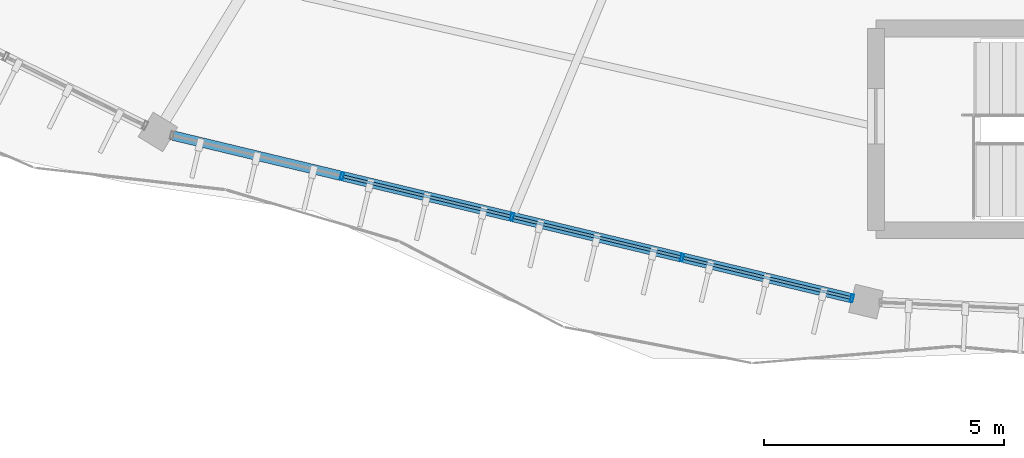
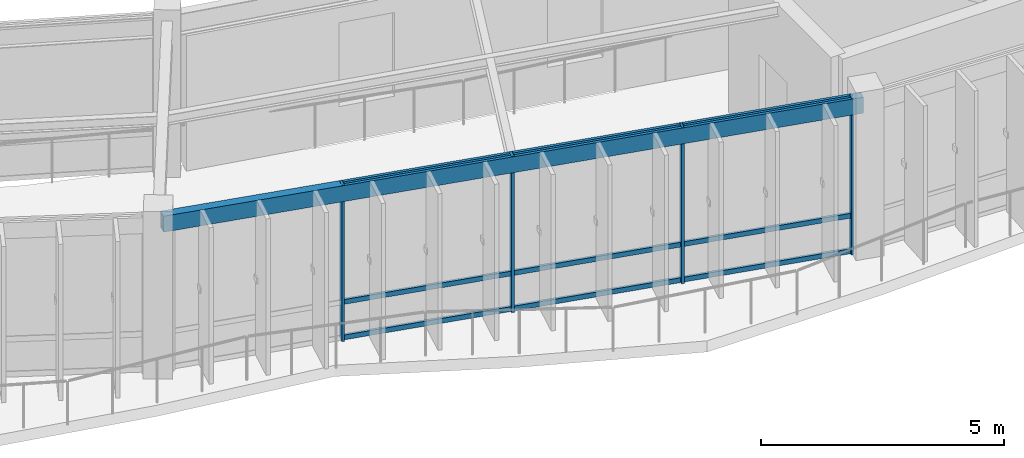
# One storey, part 7 of 83: 13 members, 1 beam, 1 element without a shape of its own.
"""IFC4 building model written with IfcOpenShell, lengths in metres."""

from ifc_helpers import new_model, si_unit, direction, frame, origin, origin_2d, place, context, subcontext, project, spatial, hollow_rectangle, extrude, material, material_profile, profile_set, type_object, element, aggregate, save


model = new_model("IFC4")

# Units and contexts
model_context = context("Model", 3, precision=1e-05, world=origin(), true_north=direction((0.0, 1.0)))
body_context = subcontext(model_context, "Body", "Model", "MODEL_VIEW")
ifc_project = project(units=[si_unit("LENGTHUNIT", "METRE"), si_unit("AREAUNIT", "SQUARE_METRE"), si_unit("VOLUMEUNIT", "CUBIC_METRE"), si_unit("PLANEANGLEUNIT", "RADIAN"), si_unit("MASSUNIT", "GRAM", prefix="KILO"), si_unit("THERMODYNAMICTEMPERATUREUNIT", "KELVIN"), si_unit("POWERUNIT", "WATT")], contexts=[model_context])

# Site, building, storey
site_placement = place(None, origin())
site = spatial("IfcSite", under=ifc_project, at=site_placement, CompositionType="ELEMENT")
building_placement = place(site_placement, origin())
building = spatial("IfcBuilding", under=site, at=building_placement, Name="Darbajah Civic Hall", CompositionType="ELEMENT")
storey_placement = place(building_placement, frame((0.0, 0.0, 18.0)))
storey = spatial("IfcBuildingStorey", under=building, at=storey_placement, Name="L04", CompositionType="ELEMENT", Elevation=18.0)

# Curtain wall, members
ifc_material_1 = material(Name="Anodised Bronze Aluminium and Low-E Glazing", Category="aluminium")
curtain_wall_type = type_object("IfcCurtainWallType", Name="Unitised Curtain Wall CW-71 14600x3900", PredefinedType="USERDEFINED", material=ifc_material_1)
curtain_wall_placement = place(storey_placement, origin())
curtain_wall = element("IfcCurtainWall", 1, at=curtain_wall_placement, inside=storey, type_object=curtain_wall_type, Name="L04 unitised curtain wall CW-V1O-L04-13", ObjectType="UNITISED CURTAIN WALL", PredefinedType="USERDEFINED")
ifc_material_2 = material(Name="Anodised Bronze Aluminium", Category="aluminium")
ifc_material_profile_1 = material_profile(ifc_material_2, hollow_rectangle(XDim=0.06005859375, YDim=0.159912109375, WallThickness=0.00341796875, at=origin_2d()), Name="ALU MULLION 60x160")
ifc_profile_set_1 = profile_set([ifc_material_profile_1], Name="Anodised Bronze Aluminium")
member_type_1 = type_object("IfcMemberType", Name="ALU MULLION 60x160", PredefinedType="MULLION", material=ifc_profile_set_1)
member_1_placement = place(storey_placement, frame((66.284912109375, 63.72900390625, 0.0), z_axis=(0.0, 0.0, 1.0), x_axis=(0.972492018808, -0.232936200179, 0.0)))
member_1 = element("IfcMember", 2, at=member_1_placement, type_object=member_type_1, Name="CW-V1O-L04-13 mullion 2", PredefinedType="MULLION", context=body_context, shape_type="SweptSolid", body=[
    extrude(hollow_rectangle(XDim=0.06005859375, YDim=0.159912109375, WallThickness=0.00341796875, at=origin_2d()), origin(), (0.0, 0.0, 1.0), 3.919921875),
])
member_2_placement = place(storey_placement, frame((69.823486328125, 62.881103515625, 0.0), z_axis=(0.0, 0.0, 1.0), x_axis=(0.972492018808, -0.232936200179, 0.0)))
member_2 = element("IfcMember", 3, at=member_2_placement, type_object=member_type_1, Name="CW-V1O-L04-13 mullion 3", PredefinedType="MULLION", context=body_context, shape_type="SweptSolid", body=[
    extrude(hollow_rectangle(XDim=0.06005859375, YDim=0.159912109375, WallThickness=0.00341796875, at=origin_2d()), origin(), (0.0, 0.0, 1.0), 3.919921875),
])
member_3_placement = place(storey_placement, frame((73.362060546875, 62.033203125, 0.0), z_axis=(0.0, 0.0, 1.0), x_axis=(0.972492018808, -0.232936200179, 0.0)))
member_3 = element("IfcMember", 4, at=member_3_placement, type_object=member_type_1, Name="CW-V1O-L04-13 mullion 4", PredefinedType="MULLION", context=body_context, shape_type="SweptSolid", body=[
    extrude(hollow_rectangle(XDim=0.06005859375, YDim=0.159912109375, WallThickness=0.00341796875, at=origin_2d()), origin(), (0.0, 0.0, 1.0), 3.919921875),
])
member_4_placement = place(storey_placement, frame((76.900634765625, 61.185546875, 0.0), z_axis=(0.0, 0.0, 1.0), x_axis=(0.972492018808, -0.232936200179, 0.0)))
member_4 = element("IfcMember", 5, at=member_4_placement, type_object=member_type_1, Name="CW-V1O-L04-13 mullion 5", PredefinedType="MULLION", context=body_context, shape_type="SweptSolid", body=[
    extrude(hollow_rectangle(XDim=0.06005859375, YDim=0.159912109375, WallThickness=0.00341796875, at=origin_2d()), origin(), (0.0, 0.0, 1.0), 3.919921875),
])
ifc_material_profile_2 = material_profile(ifc_material_2, hollow_rectangle(XDim=0.06005859375, YDim=0.1201171875, WallThickness=0.003173828125, at=origin_2d()), Name="ALU TRANSOM 60x120")
ifc_profile_set_2 = profile_set([ifc_material_profile_2], Name="Anodised Bronze Aluminium")
member_type_2 = type_object("IfcMemberType", Name="ALU TRANSOM 60x120", PredefinedType="USERDEFINED", material=ifc_profile_set_2)
member_5_placement = place(storey_placement, frame((66.31884765625, 63.720703125, 0.06005859375), z_axis=(0.972489672389, -0.232945996095, 0.0), x_axis=(0.232945996095, 0.972489672389, 0.0)))
member_5 = element("IfcMember", 6, at=member_5_placement, type_object=member_type_2, Name="CW-V1O-L04-13 transom 2.1", ObjectType="TRANSOM", PredefinedType="USERDEFINED", context=body_context, shape_type="SweptSolid", body=[
    extrude(hollow_rectangle(XDim=0.06005859375, YDim=0.1201171875, WallThickness=0.003173828125, at=origin_2d()), origin(), (0.0, 0.0, 1.0), 3.568603515625),
])
member_6_placement = place(storey_placement, frame((66.31884765625, 63.720703125, 0.949951171875), z_axis=(0.972489672389, -0.232945996095, 0.0), x_axis=(0.232945996095, 0.972489672389, 0.0)))
member_6 = element("IfcMember", 7, at=member_6_placement, type_object=member_type_2, Name="CW-V1O-L04-13 transom 2.2", ObjectType="TRANSOM", PredefinedType="USERDEFINED", context=body_context, shape_type="SweptSolid", body=[
    extrude(hollow_rectangle(XDim=0.06005859375, YDim=0.1201171875, WallThickness=0.003173828125, at=origin_2d()), origin(), (0.0, 0.0, 1.0), 3.568603515625),
])
member_7_placement = place(storey_placement, frame((66.31884765625, 63.720703125, 3.860107421875), z_axis=(0.972489672389, -0.232945996095, 0.0), x_axis=(0.232945996095, 0.972489672389, 0.0)))
member_7 = element("IfcMember", 8, at=member_7_placement, type_object=member_type_2, Name="CW-V1O-L04-13 transom 2.3", ObjectType="TRANSOM", PredefinedType="USERDEFINED", context=body_context, shape_type="SweptSolid", body=[
    extrude(hollow_rectangle(XDim=0.06005859375, YDim=0.1201171875, WallThickness=0.003173828125, at=origin_2d()), origin(), (0.0, 0.0, 1.0), 3.568603515625),
])
member_8_placement = place(storey_placement, frame((69.857421875, 62.872802734375, 0.06005859375), z_axis=(0.972489672389, -0.232945996095, 0.0), x_axis=(0.232945996095, 0.972489672389, 0.0)))
member_8 = element("IfcMember", 9, at=member_8_placement, type_object=member_type_2, Name="CW-V1O-L04-13 transom 3.1", ObjectType="TRANSOM", PredefinedType="USERDEFINED", context=body_context, shape_type="SweptSolid", body=[
    extrude(hollow_rectangle(XDim=0.06005859375, YDim=0.1201171875, WallThickness=0.003173828125, at=origin_2d()), origin(), (0.0, 0.0, 1.0), 3.568603515625),
])
member_9_placement = place(storey_placement, frame((69.857421875, 62.872802734375, 0.949951171875), z_axis=(0.972489672389, -0.232945996095, 0.0), x_axis=(0.232945996095, 0.972489672389, 0.0)))
member_9 = element("IfcMember", 10, at=member_9_placement, type_object=member_type_2, Name="CW-V1O-L04-13 transom 3.2", ObjectType="TRANSOM", PredefinedType="USERDEFINED", context=body_context, shape_type="SweptSolid", body=[
    extrude(hollow_rectangle(XDim=0.06005859375, YDim=0.1201171875, WallThickness=0.003173828125, at=origin_2d()), origin(), (0.0, 0.0, 1.0), 3.568603515625),
])
member_10_placement = place(storey_placement, frame((69.857421875, 62.872802734375, 3.860107421875), z_axis=(0.972489672389, -0.232945996095, 0.0), x_axis=(0.232945996095, 0.972489672389, 0.0)))
member_10 = element("IfcMember", 11, at=member_10_placement, type_object=member_type_2, Name="CW-V1O-L04-13 transom 3.3", ObjectType="TRANSOM", PredefinedType="USERDEFINED", context=body_context, shape_type="SweptSolid", body=[
    extrude(hollow_rectangle(XDim=0.06005859375, YDim=0.1201171875, WallThickness=0.003173828125, at=origin_2d()), origin(), (0.0, 0.0, 1.0), 3.568603515625),
])
member_11_placement = place(storey_placement, frame((73.39599609375, 62.025146484375, 0.06005859375), z_axis=(0.972477886367, -0.232995194215, 0.0), x_axis=(0.232995194215, 0.972477886367, 0.0)))
member_11 = element("IfcMember", 12, at=member_11_placement, type_object=member_type_2, Name="CW-V1O-L04-13 transom 4.1", ObjectType="TRANSOM", PredefinedType="USERDEFINED", context=body_context, shape_type="SweptSolid", body=[
    extrude(hollow_rectangle(XDim=0.06005859375, YDim=0.1201171875, WallThickness=0.003173828125, at=origin_2d()), origin(), (0.0, 0.0, 1.0), 3.56884765625),
])
member_12_placement = place(storey_placement, frame((73.39599609375, 62.025146484375, 0.949951171875), z_axis=(0.972477886367, -0.232995194215, 0.0), x_axis=(0.232995194215, 0.972477886367, 0.0)))
member_12 = element("IfcMember", 13, at=member_12_placement, type_object=member_type_2, Name="CW-V1O-L04-13 transom 4.2", ObjectType="TRANSOM", PredefinedType="USERDEFINED", context=body_context, shape_type="SweptSolid", body=[
    extrude(hollow_rectangle(XDim=0.06005859375, YDim=0.1201171875, WallThickness=0.003173828125, at=origin_2d()), origin(), (0.0, 0.0, 1.0), 3.56884765625),
])
member_13_placement = place(storey_placement, frame((73.39599609375, 62.025146484375, 3.860107421875), z_axis=(0.972477886367, -0.232995194215, 0.0), x_axis=(0.232995194215, 0.972477886367, 0.0)))
member_13 = element("IfcMember", 14, at=member_13_placement, type_object=member_type_2, Name="CW-V1O-L04-13 transom 4.3", ObjectType="TRANSOM", PredefinedType="USERDEFINED", context=body_context, shape_type="SweptSolid", body=[
    extrude(hollow_rectangle(XDim=0.06005859375, YDim=0.1201171875, WallThickness=0.003173828125, at=origin_2d()), origin(), (0.0, 0.0, 1.0), 3.56884765625),
])
aggregate(curtain_wall, [member_1, member_2, member_3, member_4, member_5, member_6, member_7, member_8, member_9, member_10, member_11, member_12, member_13])

# Beam
ifc_material_3 = material(Name="Steel S355JR", Category="steel")
ifc_material_profile_3 = material_profile(ifc_material_3, hollow_rectangle(XDim=0.199951171875, YDim=0.39990234375, WallThickness=0.013916015625, at=origin_2d()), Name="RHS 400x200x14")
ifc_profile_set_3 = profile_set([ifc_material_profile_3], Name="Steel S355JR")
beam_type = type_object("IfcBeamType", Name="RHS 400x200x14", PredefinedType="SPANDREL", material=ifc_profile_set_3)
beam_placement = place(storey_placement, frame((62.530517578125, 64.62841796875, 3.719970703125), z_axis=(0.972477948632, -0.232994934332, 0.0), x_axis=(0.232994934332, 0.972477948632, 0.0)))
element("IfcBeam", 15, at=beam_placement, inside=storey, type_object=beam_type, Name="L04 beam SP-RHS400", PredefinedType="SPANDREL", context=body_context, shape_type="SweptSolid", body=[
    extrude(hollow_rectangle(XDim=0.199951171875, YDim=0.39990234375, WallThickness=0.013916015625, at=origin_2d()), origin(), (0.0, 0.0, 1.0), 14.998779296875),
])

save(model, "model.ifc")
